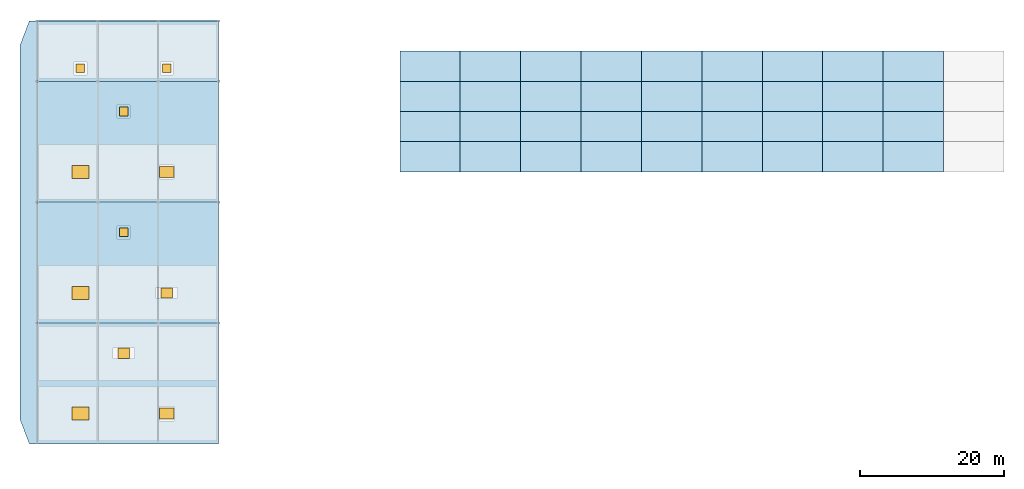
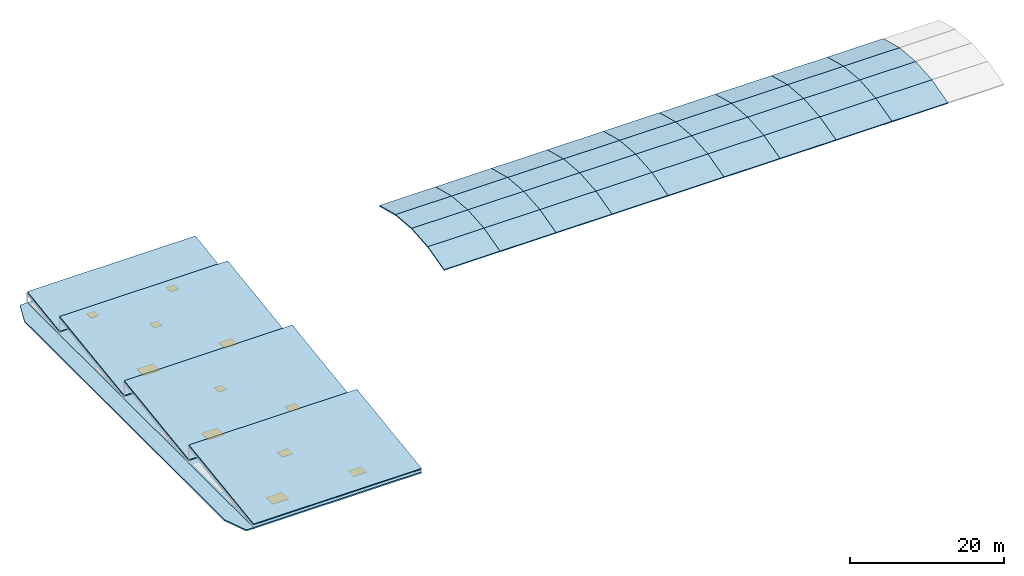
# One storey, part 9 of 12: 42 slabs, 11 windows, 11 openings.
"""IFC4 building model written with IfcOpenShell, lengths in metres."""

from ifc_helpers import new_model, si_unit, direction, frame, origin, origin_2d, place, context, subcontext, project, spatial, polyline, rectangle, outline, extrude, material, layer, layer_set, type_object, element, fill, save


model = new_model("IFC4")

# Units and contexts
model_context = context("Model", 3, precision=1e-05, world=origin(), true_north=direction((0.0, 1.0)))
body_context = subcontext(model_context, "Body", "Model", "MODEL_VIEW")
ifc_project = project(units=[si_unit("LENGTHUNIT", "METRE"), si_unit("AREAUNIT", "SQUARE_METRE"), si_unit("VOLUMEUNIT", "CUBIC_METRE"), si_unit("PLANEANGLEUNIT", "RADIAN"), si_unit("MASSUNIT", "GRAM", prefix="KILO")], contexts=[model_context])

# Site, building, storey
site_placement = place(None, origin())
site = spatial("IfcSite", under=ifc_project, at=site_placement, CompositionType="ELEMENT")
building_placement = place(site_placement, origin())
building = spatial("IfcBuilding", under=site, at=building_placement, Name="Varnapada Polytechnic", CompositionType="ELEMENT")
storey_placement = place(building_placement, frame((0.0, 0.0, 30.60009765625)))
storey = spatial("IfcBuildingStorey", under=building, at=storey_placement, Name="Roof", CompositionType="ELEMENT", Elevation=30.60009765625)

# Slab, openings, windows
ifc_material_1 = material(Name="Concrete C40/50", Category="concrete")
ifc_layer_1 = layer(ifc_material_1, 0.2099609375)
ifc_layer_set_1 = layer_set([ifc_layer_1], Name="Concrete C40/50")
slab_type_1 = type_object("IfcSlabType", Name="Flat roof & skylight curb deck slab RS-05", PredefinedType="ROOF", material=ifc_layer_set_1)
slab_1_placement = place(storey_placement, frame((0.0, 0.0, -0.210205078125)))
slab_1 = element("IfcSlab", 1, at=slab_1_placement, inside=storey, type_object=slab_type_1, Name="L06 studio skylight curb deck slab", PredefinedType="ROOF", context=body_context, shape_type="SweptSolid", body=[
    extrude(outline(polyline([(25.199951171875, 58.800048828125), (25.199951171875, 117.60009765625), (0.0, 117.60009765625), (0.0, 58.800048828125), (25.199951171875, 58.800048828125)]), holes=[polyline([(4.800048828125, 62.10009765625), (7.199951171875, 62.10009765625), (7.199951171875, 63.89990234375), (4.800048828125, 63.89990234375), (4.800048828125, 62.10009765625)]), polyline([(17.0, 62.0), (19.0, 62.0), (19.0, 64.0), (17.0, 64.0), (17.0, 62.0)]), polyline([(4.800048828125, 78.89990234375), (7.199951171875, 78.89990234375), (7.199951171875, 80.699951171875), (4.800048828125, 80.699951171875), (4.800048828125, 78.89990234375)]), polyline([(16.5, 79.050048828125), (19.5, 79.050048828125), (19.5, 80.550048828125), (16.5, 80.550048828125), (16.5, 79.050048828125)]), polyline([(4.800048828125, 95.699951171875), (7.199951171875, 95.699951171875), (7.199951171875, 97.5), (4.800048828125, 97.5), (4.800048828125, 95.699951171875)]), polyline([(17.0, 95.60009765625), (19.0, 95.60009765625), (19.0, 97.60009765625), (17.0, 97.60009765625), (17.0, 95.60009765625)]), polyline([(5.10009765625, 110.10009765625), (6.89990234375, 110.10009765625), (6.89990234375, 111.89990234375), (5.10009765625, 111.89990234375), (5.10009765625, 110.10009765625)]), polyline([(17.10009765625, 110.10009765625), (18.89990234375, 110.10009765625), (18.89990234375, 111.89990234375), (17.10009765625, 111.89990234375), (17.10009765625, 110.10009765625)]), polyline([(10.5, 70.64990234375), (13.5, 70.64990234375), (13.5, 72.14990234375), (10.5, 72.14990234375), (10.5, 70.64990234375)]), polyline([(11.10009765625, 87.300048828125), (12.89990234375, 87.300048828125), (12.89990234375, 89.10009765625), (11.10009765625, 89.10009765625), (11.10009765625, 87.300048828125)]), polyline([(11.10009765625, 104.10009765625), (12.89990234375, 104.10009765625), (12.89990234375, 105.89990234375), (11.10009765625, 105.89990234375), (11.10009765625, 104.10009765625)])]), origin(), (0.0, 0.0, 1.0), 0.210205078125),
])
opening_1_placement = place(slab_1_placement, frame((6.0, 63.0, 0.0)))
opening_1 = element("IfcOpeningElement", 2, at=opening_1_placement, cuts=slab_1, Name="Opening SK-01", PredefinedType="OPENING", context=body_context, shape_type="SweptSolid", body=[
    extrude(rectangle(XDim=2.39990234375, YDim=1.800048828125, at=origin_2d()), origin(), (0.0, 0.0, 1.0), 0.210205078125),
])
opening_2_placement = place(slab_1_placement, frame((18.0, 63.0, 0.0)))
opening_2 = element("IfcOpeningElement", 3, at=opening_2_placement, cuts=slab_1, Name="Opening SK-03", PredefinedType="OPENING", context=body_context, shape_type="SweptSolid", body=[
    extrude(rectangle(XDim=2.0, YDim=1.5, at=origin_2d()), origin(), (0.0, 0.0, 1.0), 0.210205078125),
])
opening_3_placement = place(slab_1_placement, frame((6.0, 79.800048828125, 0.0)))
opening_3 = element("IfcOpeningElement", 4, at=opening_3_placement, cuts=slab_1, Name="Opening SK-01", PredefinedType="OPENING", context=body_context, shape_type="SweptSolid", body=[
    extrude(rectangle(XDim=2.39990234375, YDim=1.800048828125, at=origin_2d()), origin(), (0.0, 0.0, 1.0), 0.210205078125),
])
opening_4_placement = place(slab_1_placement, frame((18.0, 79.800048828125, 0.0)))
opening_4 = element("IfcOpeningElement", 5, at=opening_4_placement, cuts=slab_1, Name="Opening SK-04", PredefinedType="OPENING", context=body_context, shape_type="SweptSolid", body=[
    extrude(rectangle(XDim=1.60009765625, YDim=1.39990234375, at=origin_2d()), origin(), (0.0, 0.0, 1.0), 0.210205078125),
])
opening_5_placement = place(slab_1_placement, frame((6.0, 96.60009765625, 0.0)))
opening_5 = element("IfcOpeningElement", 6, at=opening_5_placement, cuts=slab_1, Name="Opening SK-01", PredefinedType="OPENING", context=body_context, shape_type="SweptSolid", body=[
    extrude(rectangle(XDim=2.39990234375, YDim=1.800048828125, at=origin_2d()), origin(), (0.0, 0.0, 1.0), 0.210205078125),
])
opening_6_placement = place(slab_1_placement, frame((18.0, 96.60009765625, 0.0)))
opening_6 = element("IfcOpeningElement", 7, at=opening_6_placement, cuts=slab_1, Name="Opening SK-03", PredefinedType="OPENING", context=body_context, shape_type="SweptSolid", body=[
    extrude(rectangle(XDim=2.0, YDim=1.5, at=origin_2d()), origin(), (0.0, 0.0, 1.0), 0.210205078125),
])
opening_7_placement = place(slab_1_placement, frame((6.0, 111.0, 0.0)))
opening_7 = element("IfcOpeningElement", 8, at=opening_7_placement, cuts=slab_1, Name="Opening SK-02", PredefinedType="OPENING", context=body_context, shape_type="SweptSolid", body=[
    extrude(rectangle(XDim=1.199951171875, YDim=1.199951171875, at=origin_2d()), origin(), (0.0, 0.0, 1.0), 0.210205078125),
])
opening_8_placement = place(slab_1_placement, frame((18.0, 111.0, 0.0)))
opening_8 = element("IfcOpeningElement", 9, at=opening_8_placement, cuts=slab_1, Name="Opening SK-02", PredefinedType="OPENING", context=body_context, shape_type="SweptSolid", body=[
    extrude(rectangle(XDim=1.199951171875, YDim=1.199951171875, at=origin_2d()), origin(), (0.0, 0.0, 1.0), 0.210205078125),
])
opening_9_placement = place(slab_1_placement, frame((12.0, 71.39990234375, 0.0)))
opening_9 = element("IfcOpeningElement", 10, at=opening_9_placement, cuts=slab_1, Name="Opening SK-04", PredefinedType="OPENING", context=body_context, shape_type="SweptSolid", body=[
    extrude(rectangle(XDim=1.60009765625, YDim=1.39990234375, at=origin_2d()), origin(), (0.0, 0.0, 1.0), 0.210205078125),
])
opening_10_placement = place(slab_1_placement, frame((12.0, 88.199951171875, 0.0)))
opening_10 = element("IfcOpeningElement", 11, at=opening_10_placement, cuts=slab_1, Name="Opening SK-02", PredefinedType="OPENING", context=body_context, shape_type="SweptSolid", body=[
    extrude(rectangle(XDim=1.199951171875, YDim=1.199951171875, at=origin_2d()), origin(), (0.0, 0.0, 1.0), 0.210205078125),
])
opening_11_placement = place(slab_1_placement, frame((12.0, 105.0, 0.0)))
opening_11 = element("IfcOpeningElement", 12, at=opening_11_placement, cuts=slab_1, Name="Opening SK-02", PredefinedType="OPENING", context=body_context, shape_type="SweptSolid", body=[
    extrude(rectangle(XDim=1.199951171875, YDim=1.199951171875, at=origin_2d()), origin(), (0.0, 0.0, 1.0), 0.210205078125),
])
ifc_material_2 = material(Name="Double low-E laminated glass", Category="glass")
window_type_1 = type_object("IfcWindowType", Name="Window SK-01", PartitioningType="SINGLE_PANEL", PredefinedType="SKYLIGHT", material=ifc_material_2)
window_1_placement = place(opening_1_placement, frame((0.0, 0.0, 0.16015625)))
window_1 = element("IfcWindow", 13, at=window_1_placement, inside=storey, type_object=window_type_1, Name="L06 studio skylight SK-01 (1)", OverallHeight=1.800048828125, OverallWidth=2.39990234375, PartitioningType="SINGLE_PANEL", PredefinedType="SKYLIGHT", context=body_context, shape_type="SweptSolid", body=[
    extrude(rectangle(XDim=2.39990234375, YDim=1.800048828125, at=origin_2d()), origin(), (0.0, 0.0, 1.0), 0.050048828125),
])
fill(opening_1, window_1)
window_2_placement = place(opening_3_placement, frame((0.0, 0.0, 0.16015625)))
window_2 = element("IfcWindow", 14, at=window_2_placement, inside=storey, type_object=window_type_1, Name="L06 studio skylight SK-01 (3)", OverallHeight=1.800048828125, OverallWidth=2.39990234375, PartitioningType="SINGLE_PANEL", PredefinedType="SKYLIGHT", context=body_context, shape_type="SweptSolid", body=[
    extrude(rectangle(XDim=2.39990234375, YDim=1.800048828125, at=origin_2d()), origin(), (0.0, 0.0, 1.0), 0.050048828125),
])
fill(opening_3, window_2)
window_3_placement = place(opening_5_placement, frame((0.0, 0.0, 0.16015625)))
window_3 = element("IfcWindow", 15, at=window_3_placement, inside=storey, type_object=window_type_1, Name="L06 studio skylight SK-01 (5)", OverallHeight=1.800048828125, OverallWidth=2.39990234375, PartitioningType="SINGLE_PANEL", PredefinedType="SKYLIGHT", context=body_context, shape_type="SweptSolid", body=[
    extrude(rectangle(XDim=2.39990234375, YDim=1.800048828125, at=origin_2d()), origin(), (0.0, 0.0, 1.0), 0.050048828125),
])
fill(opening_5, window_3)
window_type_2 = type_object("IfcWindowType", Name="Window SK-02", PartitioningType="SINGLE_PANEL", PredefinedType="SKYLIGHT", material=ifc_material_2)
window_4_placement = place(opening_7_placement, frame((0.0, 0.0, 0.16015625)))
window_4 = element("IfcWindow", 16, at=window_4_placement, inside=storey, type_object=window_type_2, Name="L06 studio skylight SK-02 (7)", OverallHeight=1.199951171875, OverallWidth=1.199951171875, PartitioningType="SINGLE_PANEL", PredefinedType="SKYLIGHT", context=body_context, shape_type="SweptSolid", body=[
    extrude(rectangle(XDim=1.199951171875, YDim=1.199951171875, at=origin_2d()), origin(), (0.0, 0.0, 1.0), 0.050048828125),
])
fill(opening_7, window_4)
window_5_placement = place(opening_8_placement, frame((0.0, 0.0, 0.16015625)))
window_5 = element("IfcWindow", 17, at=window_5_placement, inside=storey, type_object=window_type_2, Name="L06 studio skylight SK-02 (8)", OverallHeight=1.199951171875, OverallWidth=1.199951171875, PartitioningType="SINGLE_PANEL", PredefinedType="SKYLIGHT", context=body_context, shape_type="SweptSolid", body=[
    extrude(rectangle(XDim=1.199951171875, YDim=1.199951171875, at=origin_2d()), origin(), (0.0, 0.0, 1.0), 0.050048828125),
])
fill(opening_8, window_5)
window_6_placement = place(opening_10_placement, frame((0.0, 0.0, 0.16015625)))
window_6 = element("IfcWindow", 18, at=window_6_placement, inside=storey, type_object=window_type_2, Name="L06 studio skylight SK-02 (10)", OverallHeight=1.199951171875, OverallWidth=1.199951171875, PartitioningType="SINGLE_PANEL", PredefinedType="SKYLIGHT", context=body_context, shape_type="SweptSolid", body=[
    extrude(rectangle(XDim=1.199951171875, YDim=1.199951171875, at=origin_2d()), origin(), (0.0, 0.0, 1.0), 0.050048828125),
])
fill(opening_10, window_6)
window_7_placement = place(opening_11_placement, frame((0.0, 0.0, 0.16015625)))
window_7 = element("IfcWindow", 19, at=window_7_placement, inside=storey, type_object=window_type_2, Name="L06 studio skylight SK-02 (11)", OverallHeight=1.199951171875, OverallWidth=1.199951171875, PartitioningType="SINGLE_PANEL", PredefinedType="SKYLIGHT", context=body_context, shape_type="SweptSolid", body=[
    extrude(rectangle(XDim=1.199951171875, YDim=1.199951171875, at=origin_2d()), origin(), (0.0, 0.0, 1.0), 0.050048828125),
])
fill(opening_11, window_7)
window_type_3 = type_object("IfcWindowType", Name="Window SK-03", PartitioningType="SINGLE_PANEL", PredefinedType="SKYLIGHT", material=ifc_material_2)
window_8_placement = place(opening_2_placement, frame((0.0, 0.0, 0.16015625)))
window_8 = element("IfcWindow", 20, at=window_8_placement, inside=storey, type_object=window_type_3, Name="L06 studio skylight SK-03 (2)", OverallHeight=1.5, OverallWidth=2.0, PartitioningType="SINGLE_PANEL", PredefinedType="SKYLIGHT", context=body_context, shape_type="SweptSolid", body=[
    extrude(rectangle(XDim=2.0, YDim=1.5, at=origin_2d()), origin(), (0.0, 0.0, 1.0), 0.050048828125),
])
fill(opening_2, window_8)
window_9_placement = place(opening_6_placement, frame((0.0, 0.0, 0.16015625)))
window_9 = element("IfcWindow", 21, at=window_9_placement, inside=storey, type_object=window_type_3, Name="L06 studio skylight SK-03 (6)", OverallHeight=1.5, OverallWidth=2.0, PartitioningType="SINGLE_PANEL", PredefinedType="SKYLIGHT", context=body_context, shape_type="SweptSolid", body=[
    extrude(rectangle(XDim=2.0, YDim=1.5, at=origin_2d()), origin(), (0.0, 0.0, 1.0), 0.050048828125),
])
fill(opening_6, window_9)
window_type_4 = type_object("IfcWindowType", Name="Window SK-04", PartitioningType="SINGLE_PANEL", PredefinedType="SKYLIGHT", material=ifc_material_2)
window_10_placement = place(opening_4_placement, frame((0.0, 0.0, 0.16015625)))
window_10 = element("IfcWindow", 22, at=window_10_placement, inside=storey, type_object=window_type_4, Name="L06 studio skylight SK-04 (4)", OverallHeight=1.39990234375, OverallWidth=1.60009765625, PartitioningType="SINGLE_PANEL", PredefinedType="SKYLIGHT", context=body_context, shape_type="SweptSolid", body=[
    extrude(rectangle(XDim=1.60009765625, YDim=1.39990234375, at=origin_2d()), origin(), (0.0, 0.0, 1.0), 0.050048828125),
])
fill(opening_4, window_10)
window_11_placement = place(opening_9_placement, frame((0.0, 0.0, 0.16015625)))
window_11 = element("IfcWindow", 23, at=window_11_placement, inside=storey, type_object=window_type_4, Name="L06 studio skylight SK-04 (9)", OverallHeight=1.39990234375, OverallWidth=1.60009765625, PartitioningType="SINGLE_PANEL", PredefinedType="SKYLIGHT", context=body_context, shape_type="SweptSolid", body=[
    extrude(rectangle(XDim=1.60009765625, YDim=1.39990234375, at=origin_2d()), origin(), (0.0, 0.0, 1.0), 0.050048828125),
])
fill(opening_9, window_11)

# Slabs
slab_2_placement = place(storey_placement, frame((0.0, 0.0, -0.210205078125)))
element("IfcSlab", 24, at=slab_2_placement, inside=storey, type_object=slab_type_1, Name="L06 studio west deep shade eave overhang slab", PredefinedType="ROOF", context=body_context, shape_type="SweptSolid", body=[
    extrude(outline(polyline([(0.0, 58.800048828125), (0.0, 117.60009765625), (-1.10009765625, 117.60009765625), (-2.39990234375, 114.199951171875), (-2.39990234375, 62.199951171875), (-1.10009765625, 58.800048828125), (0.0, 58.800048828125)])), origin(), (0.0, 0.0, 1.0), 0.210205078125),
])
ifc_material_3 = material(Name="Cross-laminated timber CLT C24", Category="wood")
ifc_layer_2 = layer(ifc_material_3, 0.169921875)
ifc_layer_set_2 = layer_set([ifc_layer_2], Name="Cross-laminated timber CLT C24")
slab_type_2 = type_object("IfcSlabType", Name="Sawtooth north-light studio sloped roof slab RS-04", PredefinedType="ROOF", material=ifc_layer_set_2)
slab_3_placement = place(storey_placement, frame((0.0, 58.800048828125, 0.5498046875), z_axis=(0.0, -0.139116137865, 0.990276072712), x_axis=(1.0, 0.0, 0.0)))
element("IfcSlab", 25, at=slab_3_placement, inside=storey, type_object=slab_type_2, Name="Design studio sawtooth roof slab 1", PredefinedType="ROOF", context=body_context, shape_type="SweptSolid", body=[
    extrude(outline(polyline([(0.0, 0.0), (25.199951171875, 0.0), (25.199951171875, 16.965015404360045), (0.0, 16.965015404360045), (0.0, 0.0)])), origin(), (0.0, 0.0, -1.0), 0.169921875),
])
slab_4_placement = place(storey_placement, frame((0.0, 75.60009765625, 0.5498046875), z_axis=(0.0, -0.139118120422, 0.990275794196), x_axis=(1.0, 0.0, 0.0)))
element("IfcSlab", 26, at=slab_4_placement, inside=storey, type_object=slab_type_2, Name="Design studio sawtooth roof slab 2", PredefinedType="ROOF", context=body_context, shape_type="SweptSolid", body=[
    extrude(outline(polyline([(0.0, 0.0), (25.199951171875, 0.0), (25.199951171875, 16.96477363777473), (0.0, 16.96477363777473), (0.0, 0.0)])), origin(), (0.0, 0.0, -1.0), 0.169921875),
])
slab_5_placement = place(storey_placement, frame((0.0, 92.39990234375, 0.5498046875), z_axis=(0.0, -0.139116137865, 0.990276072712), x_axis=(1.0, 0.0, 0.0)))
element("IfcSlab", 27, at=slab_5_placement, inside=storey, type_object=slab_type_2, Name="Design studio sawtooth roof slab 3", PredefinedType="ROOF", context=body_context, shape_type="SweptSolid", body=[
    extrude(outline(polyline([(0.0, 0.0), (25.199951171875, 0.0), (25.199951171875, 16.965015404360045), (0.0, 16.965015404360045), (0.0, 0.0)])), origin(), (0.0, 0.0, -1.0), 0.169921875),
])
slab_6_placement = place(storey_placement, frame((0.0, 109.199951171875, 0.5498046875), z_axis=(0.0, -0.142597245029, 0.989780796798), x_axis=(1.0, 0.0, 0.0)))
element("IfcSlab", 28, at=slab_6_placement, inside=storey, type_object=slab_type_2, Name="Design studio sawtooth roof slab 4", PredefinedType="ROOF", context=body_context, shape_type="SweptSolid", body=[
    extrude(outline(polyline([(0.0, 0.0), (25.199951171875, 0.0), (25.199951171875, 8.486875590585573), (0.0, 8.486875590585573), (0.0, 0.0)])), origin(), (0.0, 0.0, -1.0), 0.169921875),
])
ifc_material_4 = material(Name="Steel S355", Category="steel")
ifc_layer_3 = layer(ifc_material_4, 0.179931640625)
ifc_layer_set_3 = layer_set([ifc_layer_3], Name="Steel S355")
slab_type_3 = type_object("IfcSlabType", Name="Vaulted space frame insulated standing-seam roof deck RS-01", PredefinedType="ROOF", material=ifc_layer_set_3)
slab_7_placement = place(storey_placement, frame((50.39990234375, 96.60009765625, 0.326904296875), z_axis=(0.0, -0.252909507267, 0.967489938518), x_axis=(1.0, 0.0, 0.0)))
element("IfcSlab", 29, at=slab_7_placement, inside=storey, type_object=slab_type_3, Name="Workshop barrel vault roof slab 1.4", PredefinedType="ROOF", context=body_context, shape_type="SweptSolid", body=[
    extrude(outline(polyline([(0.0, 0.0), (8.400146484375, 0.0), (8.400146484375, 4.34107994787803), (0.0, 4.34107994787803), (0.0, 0.0)])), origin(), (0.0, 0.0, -1.0), 0.179931640625),
])
for number, where, z_axis, x_axis, name in (
    (30, (50.39990234375, 100.800048828125, 1.4248046875), (0.0, -0.084334880753, 0.996437468128), (1.0, 0.0, 0.0), "Workshop barrel vault roof slab 1.5"),
    (31, (50.39990234375, 105.0, 1.7802734375), (0.0, 0.084334880753, 0.996437468128), (1.0, 0.0, 0.0), "Workshop barrel vault roof slab 1.6"),
):
    element("IfcSlab", number, at=place(storey_placement, frame(where, z_axis=z_axis, x_axis=x_axis)), inside=storey, type_object=slab_type_3, Name=name, PredefinedType="ROOF", context=body_context, shape_type="SweptSolid", body=[
        extrude(outline(polyline([(0.0, 0.0), (8.400146484375, 0.0), (8.400146484375, 4.214967126604993), (0.0, 4.214967126604993), (0.0, 0.0)])), origin(), (0.0, 0.0, -1.0), 0.179931640625),
    ])
slab_8_placement = place(storey_placement, frame((50.39990234375, 109.199951171875, 1.4248046875), z_axis=(0.0, 0.252909507267, 0.967489938518), x_axis=(1.0, 0.0, 0.0)))
element("IfcSlab", 32, at=slab_8_placement, inside=storey, type_object=slab_type_3, Name="Workshop barrel vault roof slab 1.7", PredefinedType="ROOF", context=body_context, shape_type="SweptSolid", body=[
    extrude(outline(polyline([(0.0, 0.0), (8.400146484375, 0.0), (8.400146484375, 4.34107994787803), (0.0, 4.34107994787803), (0.0, 0.0)])), origin(), (0.0, 0.0, -1.0), 0.179931640625),
])
slab_9_placement = place(storey_placement, frame((58.800048828125, 96.60009765625, 0.326904296875), z_axis=(0.0, -0.252909507267, 0.967489938518), x_axis=(1.0, 0.0, 0.0)))
element("IfcSlab", 33, at=slab_9_placement, inside=storey, type_object=slab_type_3, Name="Workshop barrel vault roof slab 2.4", PredefinedType="ROOF", context=body_context, shape_type="SweptSolid", body=[
    extrude(outline(polyline([(0.0, 0.0), (8.39990234375, 0.0), (8.39990234375, 4.341079947878029), (0.0, 4.341079947878029), (0.0, 0.0)])), origin(), (0.0, 0.0, -1.0), 0.179931640625),
])
for number, where, z_axis, x_axis, name in (
    (34, (58.800048828125, 100.800048828125, 1.4248046875), (0.0, -0.084334880753, 0.996437468128), (1.0, 0.0, 0.0), "Workshop barrel vault roof slab 2.5"),
    (35, (58.800048828125, 105.0, 1.7802734375), (0.0, 0.084334880753, 0.996437468128), (1.0, 0.0, 0.0), "Workshop barrel vault roof slab 2.6"),
):
    element("IfcSlab", number, at=place(storey_placement, frame(where, z_axis=z_axis, x_axis=x_axis)), inside=storey, type_object=slab_type_3, Name=name, PredefinedType="ROOF", context=body_context, shape_type="SweptSolid", body=[
        extrude(outline(polyline([(0.0, 0.0), (8.39990234375, 0.0), (8.39990234375, 4.214967126604993), (0.0, 4.214967126604993), (0.0, 0.0)])), origin(), (0.0, 0.0, -1.0), 0.179931640625),
    ])
slab_10_placement = place(storey_placement, frame((58.800048828125, 109.199951171875, 1.4248046875), z_axis=(0.0, 0.252909507267, 0.967489938518), x_axis=(1.0, 0.0, 0.0)))
element("IfcSlab", 36, at=slab_10_placement, inside=storey, type_object=slab_type_3, Name="Workshop barrel vault roof slab 2.7", PredefinedType="ROOF", context=body_context, shape_type="SweptSolid", body=[
    extrude(outline(polyline([(0.0, 0.0), (8.39990234375, 0.0), (8.39990234375, 4.341079947878029), (0.0, 4.341079947878029), (0.0, 0.0)])), origin(), (0.0, 0.0, -1.0), 0.179931640625),
])
slab_11_placement = place(storey_placement, frame((67.199951171875, 96.60009765625, 0.326904296875), z_axis=(0.0, -0.252909507267, 0.967489938518), x_axis=(1.0, 0.0, 0.0)))
element("IfcSlab", 37, at=slab_11_placement, inside=storey, type_object=slab_type_3, Name="Workshop barrel vault roof slab 3.4", PredefinedType="ROOF", context=body_context, shape_type="SweptSolid", body=[
    extrude(outline(polyline([(0.0, 0.0), (8.400146484375, 0.0), (8.400146484375, 4.34107994787803), (0.0, 4.34107994787803), (0.0, 0.0)])), origin(), (0.0, 0.0, -1.0), 0.179931640625),
])
for number, where, z_axis, x_axis, name in (
    (38, (67.199951171875, 100.800048828125, 1.4248046875), (0.0, -0.084334880753, 0.996437468128), (1.0, 0.0, 0.0), "Workshop barrel vault roof slab 3.5"),
    (39, (67.199951171875, 105.0, 1.7802734375), (0.0, 0.084334880753, 0.996437468128), (1.0, 0.0, 0.0), "Workshop barrel vault roof slab 3.6"),
):
    element("IfcSlab", number, at=place(storey_placement, frame(where, z_axis=z_axis, x_axis=x_axis)), inside=storey, type_object=slab_type_3, Name=name, PredefinedType="ROOF", context=body_context, shape_type="SweptSolid", body=[
        extrude(outline(polyline([(0.0, 0.0), (8.400146484375, 0.0), (8.400146484375, 4.214967126604993), (0.0, 4.214967126604993), (0.0, 0.0)])), origin(), (0.0, 0.0, -1.0), 0.179931640625),
    ])
slab_12_placement = place(storey_placement, frame((67.199951171875, 109.199951171875, 1.4248046875), z_axis=(0.0, 0.252909507267, 0.967489938518), x_axis=(1.0, 0.0, 0.0)))
element("IfcSlab", 40, at=slab_12_placement, inside=storey, type_object=slab_type_3, Name="Workshop barrel vault roof slab 3.7", PredefinedType="ROOF", context=body_context, shape_type="SweptSolid", body=[
    extrude(outline(polyline([(0.0, 0.0), (8.400146484375, 0.0), (8.400146484375, 4.34107994787803), (0.0, 4.34107994787803), (0.0, 0.0)])), origin(), (0.0, 0.0, -1.0), 0.179931640625),
])
slab_13_placement = place(storey_placement, frame((75.60009765625, 96.60009765625, 0.326904296875), z_axis=(0.0, -0.252909507267, 0.967489938518), x_axis=(1.0, 0.0, 0.0)))
element("IfcSlab", 41, at=slab_13_placement, inside=storey, type_object=slab_type_3, Name="Workshop barrel vault roof slab 4.4", PredefinedType="ROOF", context=body_context, shape_type="SweptSolid", body=[
    extrude(outline(polyline([(0.0, 0.0), (8.39990234375, 0.0), (8.39990234375, 4.341079947878029), (0.0, 4.341079947878029), (0.0, 0.0)])), origin(), (0.0, 0.0, -1.0), 0.179931640625),
])
for number, where, z_axis, x_axis, name in (
    (42, (75.60009765625, 100.800048828125, 1.4248046875), (0.0, -0.084334880753, 0.996437468128), (1.0, 0.0, 0.0), "Workshop barrel vault roof slab 4.5"),
    (43, (75.60009765625, 105.0, 1.7802734375), (0.0, 0.084334880753, 0.996437468128), (1.0, 0.0, 0.0), "Workshop barrel vault roof slab 4.6"),
):
    element("IfcSlab", number, at=place(storey_placement, frame(where, z_axis=z_axis, x_axis=x_axis)), inside=storey, type_object=slab_type_3, Name=name, PredefinedType="ROOF", context=body_context, shape_type="SweptSolid", body=[
        extrude(outline(polyline([(0.0, 0.0), (8.39990234375, 0.0), (8.39990234375, 4.214967126604993), (0.0, 4.214967126604993), (0.0, 0.0)])), origin(), (0.0, 0.0, -1.0), 0.179931640625),
    ])
for number, where, z_axis, x_axis, name in (
    (44, (75.60009765625, 109.199951171875, 1.4248046875), (0.0, 0.252909507267, 0.967489938518), (1.0, 0.0, 0.0), "Workshop barrel vault roof slab 4.7"),
    (45, (84.0, 96.60009765625, 0.326904296875), (0.0, -0.252909507267, 0.967489938518), (1.0, 0.0, 0.0), "Workshop barrel vault roof slab 5.4"),
):
    element("IfcSlab", number, at=place(storey_placement, frame(where, z_axis=z_axis, x_axis=x_axis)), inside=storey, type_object=slab_type_3, Name=name, PredefinedType="ROOF", context=body_context, shape_type="SweptSolid", body=[
        extrude(outline(polyline([(0.0, 0.0), (8.39990234375, 0.0), (8.39990234375, 4.341079947878029), (0.0, 4.341079947878029), (0.0, 0.0)])), origin(), (0.0, 0.0, -1.0), 0.179931640625),
    ])
for number, where, z_axis, x_axis, name in (
    (46, (84.0, 100.800048828125, 1.4248046875), (0.0, -0.084334880753, 0.996437468128), (1.0, 0.0, 0.0), "Workshop barrel vault roof slab 5.5"),
    (47, (84.0, 105.0, 1.7802734375), (0.0, 0.084334880753, 0.996437468128), (1.0, 0.0, 0.0), "Workshop barrel vault roof slab 5.6"),
):
    element("IfcSlab", number, at=place(storey_placement, frame(where, z_axis=z_axis, x_axis=x_axis)), inside=storey, type_object=slab_type_3, Name=name, PredefinedType="ROOF", context=body_context, shape_type="SweptSolid", body=[
        extrude(outline(polyline([(0.0, 0.0), (8.39990234375, 0.0), (8.39990234375, 4.214967126604993), (0.0, 4.214967126604993), (0.0, 0.0)])), origin(), (0.0, 0.0, -1.0), 0.179931640625),
    ])
slab_14_placement = place(storey_placement, frame((84.0, 109.199951171875, 1.4248046875), z_axis=(0.0, 0.252909507267, 0.967489938518), x_axis=(1.0, 0.0, 0.0)))
element("IfcSlab", 48, at=slab_14_placement, inside=storey, type_object=slab_type_3, Name="Workshop barrel vault roof slab 5.7", PredefinedType="ROOF", context=body_context, shape_type="SweptSolid", body=[
    extrude(outline(polyline([(0.0, 0.0), (8.39990234375, 0.0), (8.39990234375, 4.341079947878029), (0.0, 4.341079947878029), (0.0, 0.0)])), origin(), (0.0, 0.0, -1.0), 0.179931640625),
])
slab_15_placement = place(storey_placement, frame((92.39990234375, 96.60009765625, 0.326904296875), z_axis=(0.0, -0.252909507267, 0.967489938518), x_axis=(1.0, 0.0, 0.0)))
element("IfcSlab", 49, at=slab_15_placement, inside=storey, type_object=slab_type_3, Name="Workshop barrel vault roof slab 6.4", PredefinedType="ROOF", context=body_context, shape_type="SweptSolid", body=[
    extrude(outline(polyline([(0.0, 0.0), (8.400146484375, 0.0), (8.400146484375, 4.34107994787803), (0.0, 4.34107994787803), (0.0, 0.0)])), origin(), (0.0, 0.0, -1.0), 0.179931640625),
])
for number, where, z_axis, x_axis, name in (
    (50, (92.39990234375, 100.800048828125, 1.4248046875), (0.0, -0.084334880753, 0.996437468128), (1.0, 0.0, 0.0), "Workshop barrel vault roof slab 6.5"),
    (51, (92.39990234375, 105.0, 1.7802734375), (0.0, 0.084334880753, 0.996437468128), (1.0, 0.0, 0.0), "Workshop barrel vault roof slab 6.6"),
):
    element("IfcSlab", number, at=place(storey_placement, frame(where, z_axis=z_axis, x_axis=x_axis)), inside=storey, type_object=slab_type_3, Name=name, PredefinedType="ROOF", context=body_context, shape_type="SweptSolid", body=[
        extrude(outline(polyline([(0.0, 0.0), (8.400146484375, 0.0), (8.400146484375, 4.214967126604993), (0.0, 4.214967126604993), (0.0, 0.0)])), origin(), (0.0, 0.0, -1.0), 0.179931640625),
    ])
slab_16_placement = place(storey_placement, frame((92.39990234375, 109.199951171875, 1.4248046875), z_axis=(0.0, 0.252909507267, 0.967489938518), x_axis=(1.0, 0.0, 0.0)))
element("IfcSlab", 52, at=slab_16_placement, inside=storey, type_object=slab_type_3, Name="Workshop barrel vault roof slab 6.7", PredefinedType="ROOF", context=body_context, shape_type="SweptSolid", body=[
    extrude(outline(polyline([(0.0, 0.0), (8.400146484375, 0.0), (8.400146484375, 4.34107994787803), (0.0, 4.34107994787803), (0.0, 0.0)])), origin(), (0.0, 0.0, -1.0), 0.179931640625),
])
slab_17_placement = place(storey_placement, frame((100.800048828125, 96.60009765625, 0.326904296875), z_axis=(0.0, -0.252909507267, 0.967489938518), x_axis=(1.0, 0.0, 0.0)))
element("IfcSlab", 53, at=slab_17_placement, inside=storey, type_object=slab_type_3, Name="Workshop barrel vault roof slab 7.4", PredefinedType="ROOF", context=body_context, shape_type="SweptSolid", body=[
    extrude(outline(polyline([(0.0, 0.0), (8.39990234375, 0.0), (8.39990234375, 4.341079947878029), (0.0, 4.341079947878029), (0.0, 0.0)])), origin(), (0.0, 0.0, -1.0), 0.179931640625),
])
for number, where, z_axis, x_axis, name in (
    (54, (100.800048828125, 100.800048828125, 1.4248046875), (0.0, -0.084334880753, 0.996437468128), (1.0, 0.0, 0.0), "Workshop barrel vault roof slab 7.5"),
    (55, (100.800048828125, 105.0, 1.7802734375), (0.0, 0.084334880753, 0.996437468128), (1.0, 0.0, 0.0), "Workshop barrel vault roof slab 7.6"),
):
    element("IfcSlab", number, at=place(storey_placement, frame(where, z_axis=z_axis, x_axis=x_axis)), inside=storey, type_object=slab_type_3, Name=name, PredefinedType="ROOF", context=body_context, shape_type="SweptSolid", body=[
        extrude(outline(polyline([(0.0, 0.0), (8.39990234375, 0.0), (8.39990234375, 4.214967126604993), (0.0, 4.214967126604993), (0.0, 0.0)])), origin(), (0.0, 0.0, -1.0), 0.179931640625),
    ])
slab_18_placement = place(storey_placement, frame((100.800048828125, 109.199951171875, 1.4248046875), z_axis=(0.0, 0.252909507267, 0.967489938518), x_axis=(1.0, 0.0, 0.0)))
element("IfcSlab", 56, at=slab_18_placement, inside=storey, type_object=slab_type_3, Name="Workshop barrel vault roof slab 7.7", PredefinedType="ROOF", context=body_context, shape_type="SweptSolid", body=[
    extrude(outline(polyline([(0.0, 0.0), (8.39990234375, 0.0), (8.39990234375, 4.341079947878029), (0.0, 4.341079947878029), (0.0, 0.0)])), origin(), (0.0, 0.0, -1.0), 0.179931640625),
])
slab_19_placement = place(storey_placement, frame((109.199951171875, 96.60009765625, 0.326904296875), z_axis=(0.0, -0.252909507267, 0.967489938518), x_axis=(1.0, 0.0, 0.0)))
element("IfcSlab", 57, at=slab_19_placement, inside=storey, type_object=slab_type_3, Name="Workshop barrel vault roof slab 8.4", PredefinedType="ROOF", context=body_context, shape_type="SweptSolid", body=[
    extrude(outline(polyline([(0.0, 0.0), (8.400146484375, 0.0), (8.400146484375, 4.34107994787803), (0.0, 4.34107994787803), (0.0, 0.0)])), origin(), (0.0, 0.0, -1.0), 0.179931640625),
])
for number, where, z_axis, x_axis, name in (
    (58, (109.199951171875, 100.800048828125, 1.4248046875), (0.0, -0.084334880753, 0.996437468128), (1.0, 0.0, 0.0), "Workshop barrel vault roof slab 8.5"),
    (59, (109.199951171875, 105.0, 1.7802734375), (0.0, 0.084334880753, 0.996437468128), (1.0, 0.0, 0.0), "Workshop barrel vault roof slab 8.6"),
):
    element("IfcSlab", number, at=place(storey_placement, frame(where, z_axis=z_axis, x_axis=x_axis)), inside=storey, type_object=slab_type_3, Name=name, PredefinedType="ROOF", context=body_context, shape_type="SweptSolid", body=[
        extrude(outline(polyline([(0.0, 0.0), (8.400146484375, 0.0), (8.400146484375, 4.214967126604993), (0.0, 4.214967126604993), (0.0, 0.0)])), origin(), (0.0, 0.0, -1.0), 0.179931640625),
    ])
slab_20_placement = place(storey_placement, frame((109.199951171875, 109.199951171875, 1.4248046875), z_axis=(0.0, 0.252909507267, 0.967489938518), x_axis=(1.0, 0.0, 0.0)))
element("IfcSlab", 60, at=slab_20_placement, inside=storey, type_object=slab_type_3, Name="Workshop barrel vault roof slab 8.7", PredefinedType="ROOF", context=body_context, shape_type="SweptSolid", body=[
    extrude(outline(polyline([(0.0, 0.0), (8.400146484375, 0.0), (8.400146484375, 4.34107994787803), (0.0, 4.34107994787803), (0.0, 0.0)])), origin(), (0.0, 0.0, -1.0), 0.179931640625),
])
slab_21_placement = place(storey_placement, frame((117.60009765625, 96.60009765625, 0.326904296875), z_axis=(0.0, -0.252909507267, 0.967489938518), x_axis=(1.0, 0.0, 0.0)))
element("IfcSlab", 61, at=slab_21_placement, inside=storey, type_object=slab_type_3, Name="Workshop barrel vault roof slab 9.4", PredefinedType="ROOF", context=body_context, shape_type="SweptSolid", body=[
    extrude(outline(polyline([(0.0, 0.0), (8.39990234375, 0.0), (8.39990234375, 4.341079947878029), (0.0, 4.341079947878029), (0.0, 0.0)])), origin(), (0.0, 0.0, -1.0), 0.179931640625),
])
for number, where, z_axis, x_axis, name in (
    (62, (117.60009765625, 100.800048828125, 1.4248046875), (0.0, -0.084334880753, 0.996437468128), (1.0, 0.0, 0.0), "Workshop barrel vault roof slab 9.5"),
    (63, (117.60009765625, 105.0, 1.7802734375), (0.0, 0.084334880753, 0.996437468128), (1.0, 0.0, 0.0), "Workshop barrel vault roof slab 9.6"),
):
    element("IfcSlab", number, at=place(storey_placement, frame(where, z_axis=z_axis, x_axis=x_axis)), inside=storey, type_object=slab_type_3, Name=name, PredefinedType="ROOF", context=body_context, shape_type="SweptSolid", body=[
        extrude(outline(polyline([(0.0, 0.0), (8.39990234375, 0.0), (8.39990234375, 4.214967126604993), (0.0, 4.214967126604993), (0.0, 0.0)])), origin(), (0.0, 0.0, -1.0), 0.179931640625),
    ])
slab_22_placement = place(storey_placement, frame((117.60009765625, 109.199951171875, 1.4248046875), z_axis=(0.0, 0.252909507267, 0.967489938518), x_axis=(1.0, 0.0, 0.0)))
element("IfcSlab", 64, at=slab_22_placement, inside=storey, type_object=slab_type_3, Name="Workshop barrel vault roof slab 9.7", PredefinedType="ROOF", context=body_context, shape_type="SweptSolid", body=[
    extrude(outline(polyline([(0.0, 0.0), (8.39990234375, 0.0), (8.39990234375, 4.341079947878029), (0.0, 4.341079947878029), (0.0, 0.0)])), origin(), (0.0, 0.0, -1.0), 0.179931640625),
])

save(model, "model.ifc")
